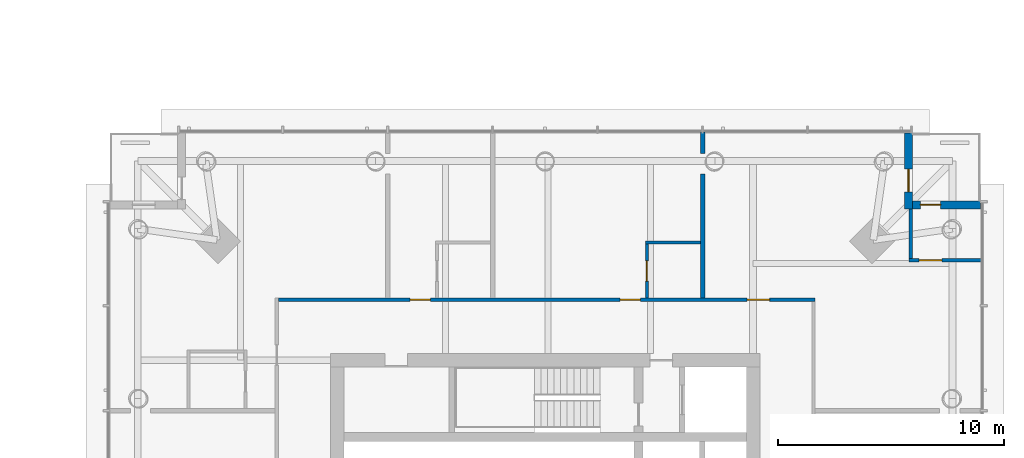
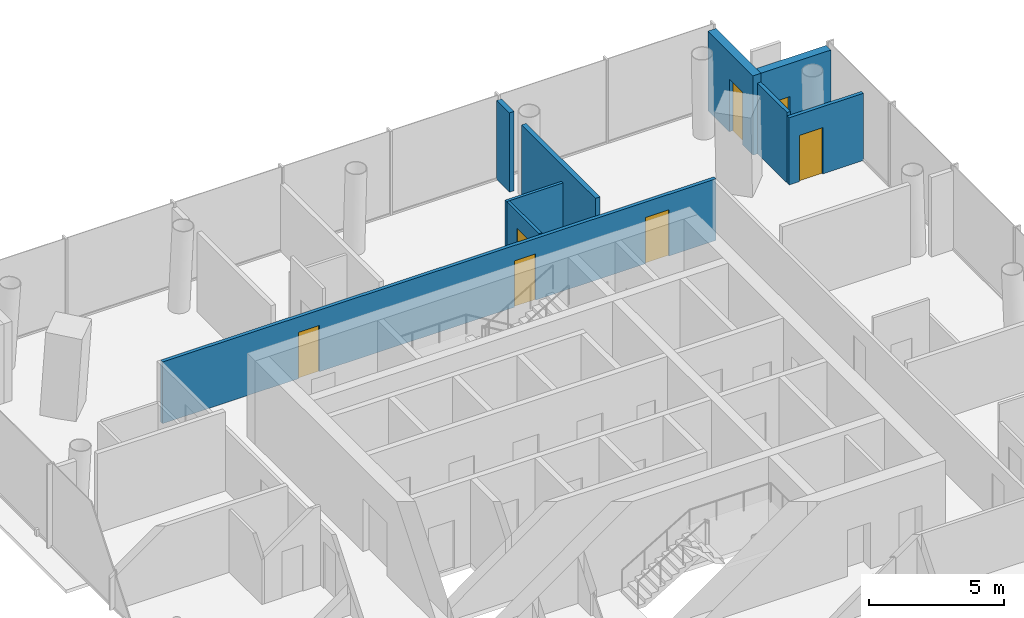
# One storey, part 15 of 21: 9 walls, 7 doors, 7 openings.
"""IFC4 building model written with IfcOpenShell, lengths in metres."""

from ifc_helpers import new_model, si_unit, direction, frame, frame_2d, origin, place, context, subcontext, project, spatial, rectangle, extrude, material, layer, layer_set, type_object, element, fill, save


model = new_model("IFC4")

# Units and contexts
model_context = context("Model", 3, precision=1e-05, world=origin(), true_north=direction((0.0, 1.0)))
body_context = subcontext(model_context, "Body", "Model", "MODEL_VIEW")
ifc_project = project(units=[si_unit("LENGTHUNIT", "METRE"), si_unit("AREAUNIT", "SQUARE_METRE"), si_unit("VOLUMEUNIT", "CUBIC_METRE"), si_unit("PLANEANGLEUNIT", "RADIAN"), si_unit("MASSUNIT", "GRAM", prefix="KILO")], contexts=[model_context])

# Site, building, storey
site_placement = place(None, origin())
site = spatial("IfcSite", under=ifc_project, at=site_placement, CompositionType="ELEMENT")
building_placement = place(site_placement, origin())
building = spatial("IfcBuilding", under=site, at=building_placement, Name="Ostroluk Exchange", CompositionType="ELEMENT")
storey_placement = place(building_placement, frame((0.0, 0.0, 43.800048828125)))
storey = spatial("IfcBuildingStorey", under=building, at=storey_placement, Name="L10", CompositionType="ELEMENT", Elevation=43.800048828125)

# Wall, opening, door
ifc_material_1 = material(Name="Limestone", Category="masonry")
ifc_layer_1 = layer(ifc_material_1, 0.35009765625)
ifc_layer_set_1 = layer_set([ifc_layer_1], Name="Limestone facade wall 350")
wall_type_1 = type_object("IfcWallType", Name="Limestone facade wall 350", PredefinedType="SOLIDWALL", material=ifc_layer_set_1)
wall_1_placement = place(storey_placement, frame((133.074951171875, 65.25, 0.0), z_axis=(0.0, 0.0, 1.0), x_axis=(0.0, -1.0, 0.0)))
wall_1 = element("IfcWall", 1, at=wall_1_placement, inside=storey, type_object=wall_type_1, Name="Hotel tower NE corner wall L10 a", PredefinedType="SOLIDWALL", context=body_context, shape_type="SweptSolid", body=[
    extrude(rectangle(XDim=3.35009765625, YDim=0.35009765625, at=frame_2d((1.675048828125, 0.0))), origin(), (0.0, 0.0, 1.0), 3.599853515625),
])
opening_1_placement = place(wall_1_placement, frame((1.60009765625, 0.0, 0.0)))
opening_1 = element("IfcOpeningElement", 2, at=opening_1_placement, cuts=wall_1, Name="Opening D-B1", PredefinedType="OPENING", context=body_context, shape_type="SweptSolid", body=[
    extrude(rectangle(XDim=1.0, YDim=2.39990234375, at=frame_2d((0.5, 1.199951171875))), frame((0.0, 0.18505859375, 0.0), z_axis=(0.0, -1.0, 0.0), x_axis=(1.0, 0.0, 0.0)), (0.0, 0.0, 1.0), 0.3701171875),
])
ifc_material_2 = material(Name="Bronze framed glazed door", Category="aluminium")
door_type_1 = type_object("IfcDoorType", Name="Balcony door 1000 x 2400", OperationType="SINGLE_SWING_LEFT", PredefinedType="DOOR", material=ifc_material_2)
door_1_placement = place(opening_1_placement, origin())
door_1 = element("IfcDoor", 3, at=door_1_placement, inside=storey, type_object=door_type_1, Name="Hotel tower NE balcony door L10", OperationType="SINGLE_SWING_RIGHT", OverallHeight=2.39990234375, OverallWidth=1.0, PredefinedType="DOOR", context=body_context, shape_type="SweptSolid", body=[
    extrude(rectangle(XDim=1.0, YDim=2.39990234375, at=frame_2d((0.5, 1.199951171875))), frame((0.0, 0.02490234375, 0.0), z_axis=(0.0, -1.0, 0.0), x_axis=(1.0, 0.0, 0.0)), (0.0, 0.0, 1.0), 0.050048828125),
])
fill(opening_1, door_1)

wall_2_placement = place(storey_placement, frame((133.25, 62.074951171875, 0.0), z_axis=(0.0, 0.0, 1.0), x_axis=(1.0, 0.0, 0.0)))
wall_2 = element("IfcWall", 4, at=wall_2_placement, inside=storey, type_object=wall_type_1, Name="Hotel tower NE corner wall L10 b", PredefinedType="SOLIDWALL", context=body_context, shape_type="SweptSolid", body=[
    extrude(rectangle(XDim=3.0, YDim=0.35009765625, at=frame_2d((1.5, 0.0))), origin(), (0.0, 0.0, 1.0), 3.599853515625),
])
opening_2_placement = place(wall_2_placement, frame((0.35009765625, 0.0, 0.0)))
opening_2 = element("IfcOpeningElement", 5, at=opening_2_placement, cuts=wall_2, Name="Opening D-M1", PredefinedType="OPENING", context=body_context, shape_type="SweptSolid", body=[
    extrude(rectangle(XDim=0.89990234375, YDim=2.10009765625, at=frame_2d((0.449951171875, 1.050048828125))), frame((0.0, 0.18505859375, 0.0), z_axis=(0.0, -1.0, 0.0), x_axis=(1.0, 0.0, 0.0)), (0.0, 0.0, 1.0), 0.3701171875),
])
ifc_material_3 = material(Name="Steel door", Category="steel")
door_type_2 = type_object("IfcDoorType", Name="Maintenance access door 900 x 2100", OperationType="SINGLE_SWING_LEFT", PredefinedType="DOOR", material=ifc_material_3)
door_2_placement = place(opening_2_placement, origin())
door_2 = element("IfcDoor", 6, at=door_2_placement, inside=storey, type_object=door_type_2, Name="Maintenance access door T2 L10 NE", OperationType="SINGLE_SWING_LEFT", OverallHeight=2.10009765625, OverallWidth=0.89990234375, PredefinedType="DOOR", context=body_context, shape_type="SweptSolid", body=[
    extrude(rectangle(XDim=0.89990234375, YDim=2.10009765625, at=frame_2d((0.449951171875, 1.050048828125))), frame((0.0, 0.02490234375, 0.0), z_axis=(0.0, -1.0, 0.0), x_axis=(1.0, 0.0, 0.0)), (0.0, 0.0, 1.0), 0.050048828125),
])
fill(opening_2, door_2)

# Wall
ifc_material_4 = material(Name="Gypsum plasterboard partition, moisture resistant", Category="gypsum")
ifc_layer_2 = layer(ifc_material_4, 0.1201171875)
ifc_layer_set_2 = layer_set([ifc_layer_2], Name="Plasterboard en-suite wall 120")
wall_type_2 = type_object("IfcWallType", Name="Plasterboard en-suite wall 120", PredefinedType="PARTITIONING", material=ifc_layer_set_2)
wall_3_placement = place(storey_placement, frame((123.8642578125, 60.409912109375, 0.0), z_axis=(0.0, 0.0, 1.0), x_axis=(-1.0, 0.0, 0.0)))
element("IfcWall", 7, at=wall_3_placement, inside=storey, type_object=wall_type_2, Name="En-suite wall", PredefinedType="PARTITIONING", context=body_context, shape_type="SweptSolid", body=[
    extrude(rectangle(XDim=2.419921875, YDim=0.1201171875, at=frame_2d((1.2099609375, 0.0))), origin(), (0.0, 0.0, 1.0), 2.846923828125),
])

# Wall, opening, door
wall_4_placement = place(storey_placement, frame((121.50439453125, 57.949951171875, 0.0), z_axis=(0.0, 0.0, 1.0), x_axis=(0.0, 1.0, 0.0)))
wall_4 = element("IfcWall", 8, at=wall_4_placement, inside=storey, type_object=wall_type_2, Name="En-suite wall", PredefinedType="PARTITIONING", context=body_context, shape_type="SweptSolid", body=[
    extrude(rectangle(XDim=2.400146484375, YDim=0.1201171875, at=frame_2d((1.2001953125, 0.0))), origin(), (0.0, 0.0, 1.0), 2.846923828125),
])
opening_3_placement = place(wall_4_placement, frame((0.75, 0.0, 0.0)))
opening_3 = element("IfcOpeningElement", 9, at=opening_3_placement, cuts=wall_4, Name="Opening D-02", PredefinedType="OPENING", context=body_context, shape_type="SweptSolid", body=[
    extrude(rectangle(XDim=0.89990234375, YDim=2.10009765625, at=frame_2d((0.449951171875, 1.050048828125))), frame((0.0, 0.070068359375, 0.0), z_axis=(0.0, -1.0, 0.0), x_axis=(1.0, 0.0, 0.0)), (0.0, 0.0, 1.0), 0.14013671875),
])
ifc_material_5 = material(Name="Timber", Category="wood")
door_type_3 = type_object("IfcDoorType", Name="En-suite door 900 x 2100", OperationType="SINGLE_SWING_LEFT", PredefinedType="DOOR", material=ifc_material_5)
door_3_placement = place(opening_3_placement, origin())
door_3 = element("IfcDoor", 10, at=door_3_placement, inside=storey, type_object=door_type_3, Name="En-suite door 1003", OperationType="SINGLE_SWING_RIGHT", OverallHeight=2.10009765625, OverallWidth=0.89990234375, PredefinedType="DOOR", context=body_context, shape_type="SweptSolid", body=[
    extrude(rectangle(XDim=0.89990234375, YDim=2.10009765625, at=frame_2d((0.449951171875, 1.050048828125))), frame((0.0, 0.02490234375, 0.0), z_axis=(0.0, -1.0, 0.0), x_axis=(1.0, 0.0, 0.0)), (0.0, 0.0, 1.0), 0.050048828125),
])
fill(opening_3, door_3)

# Wall, openings, doors
ifc_material_6 = material(Name="Gypsum plasterboard partition", Category="gypsum")
ifc_layer_3 = layer(ifc_material_6, 0.14990234375)
ifc_layer_set_3 = layer_set([ifc_layer_3], Name="Plasterboard partition 150")
wall_type_3 = type_object("IfcWallType", Name="Plasterboard partition 150", PredefinedType="PARTITIONING", material=ifc_layer_set_3)
wall_5_placement = place(storey_placement, frame((128.949951171875, 57.875, 0.0), z_axis=(0.0, 0.0, 1.0), x_axis=(-1.0, 0.0, 0.0)))
wall_5 = element("IfcWall", 11, at=wall_5_placement, inside=storey, type_object=wall_type_3, Name="Corridor wall", PredefinedType="PARTITIONING", context=body_context, shape_type="SweptSolid", body=[
    extrude(rectangle(XDim=23.75, YDim=0.14990234375, at=frame_2d((11.875, 0.0))), origin(), (0.0, 0.0, 1.0), 2.800048828125),
])
opening_4_placement = place(wall_5_placement, frame((2.017822265625, 0.0, 0.0)))
opening_4 = element("IfcOpeningElement", 12, at=opening_4_placement, cuts=wall_5, Name="Opening D-03", PredefinedType="OPENING", context=body_context, shape_type="SweptSolid", body=[
    extrude(rectangle(XDim=1.0, YDim=2.10009765625, at=frame_2d((0.5, 1.050048828125))), frame((0.0, 0.0849609375, 0.0), z_axis=(0.0, -1.0, 0.0), x_axis=(1.0, 0.0, 0.0)), (0.0, 0.0, 1.0), 0.169921875),
])
opening_5_placement = place(wall_5_placement, frame((7.735595703125, 0.0, 0.0)))
opening_5 = element("IfcOpeningElement", 13, at=opening_5_placement, cuts=wall_5, Name="Opening D-01", PredefinedType="OPENING", context=body_context, shape_type="SweptSolid", body=[
    extrude(rectangle(XDim=0.89990234375, YDim=2.10009765625, at=frame_2d((0.449951171875, 1.050048828125))), frame((0.0, 0.0849609375, 0.0), z_axis=(0.0, -1.0, 0.0), x_axis=(1.0, 0.0, 0.0)), (0.0, 0.0, 1.0), 0.169921875),
])
opening_6_placement = place(wall_5_placement, frame((17.021484375, 0.0, 0.0)))
opening_6 = element("IfcOpeningElement", 14, at=opening_6_placement, cuts=wall_5, Name="Opening D-01", PredefinedType="OPENING", context=body_context, shape_type="SweptSolid", body=[
    extrude(rectangle(XDim=0.89990234375, YDim=2.10009765625, at=frame_2d((0.449951171875, 1.050048828125))), frame((0.0, 0.0849609375, 0.0), z_axis=(0.0, -1.0, 0.0), x_axis=(1.0, 0.0, 0.0)), (0.0, 0.0, 1.0), 0.169921875),
])
ifc_material_7 = material(Name="Timber", Category="wood")
door_type_4 = type_object("IfcDoorType", Name="Hotel room door EI 30 Sa 900 x 2100", OperationType="SINGLE_SWING_LEFT", PredefinedType="DOOR", material=ifc_material_7)
door_4_placement = place(opening_5_placement, origin())
door_4 = element("IfcDoor", 15, at=door_4_placement, inside=storey, type_object=door_type_4, Name="Room door 1003", OperationType="SINGLE_SWING_LEFT", OverallHeight=2.10009765625, OverallWidth=0.89990234375, PredefinedType="DOOR", context=body_context, shape_type="SweptSolid", body=[
    extrude(rectangle(XDim=0.89990234375, YDim=2.10009765625, at=frame_2d((0.449951171875, 1.050048828125))), frame((0.0, 0.02490234375, 0.0), z_axis=(0.0, -1.0, 0.0), x_axis=(1.0, 0.0, 0.0)), (0.0, 0.0, 1.0), 0.050048828125),
])
fill(opening_5, door_4)
door_5_placement = place(opening_6_placement, origin())
door_5 = element("IfcDoor", 16, at=door_5_placement, inside=storey, type_object=door_type_4, Name="Room door 1004", OperationType="SINGLE_SWING_RIGHT", OverallHeight=2.10009765625, OverallWidth=0.89990234375, PredefinedType="DOOR", context=body_context, shape_type="SweptSolid", body=[
    extrude(rectangle(XDim=0.89990234375, YDim=2.10009765625, at=frame_2d((0.449951171875, 1.050048828125))), frame((0.0, 0.02490234375, 0.0), z_axis=(0.0, -1.0, 0.0), x_axis=(1.0, 0.0, 0.0)), (0.0, 0.0, 1.0), 0.050048828125),
])
fill(opening_6, door_5)
ifc_material_8 = material(Name="Timber", Category="wood")
door_type_5 = type_object("IfcDoorType", Name="Internal door 1000 x 2100", OperationType="SINGLE_SWING_LEFT", PredefinedType="DOOR", material=ifc_material_8)
door_6_placement = place(opening_4_placement, origin())
door_6 = element("IfcDoor", 17, at=door_6_placement, inside=storey, type_object=door_type_5, Name="Guest lounge door", OperationType="SINGLE_SWING_LEFT", OverallHeight=2.10009765625, OverallWidth=1.0, PredefinedType="DOOR", context=body_context, shape_type="SweptSolid", body=[
    extrude(rectangle(XDim=1.0, YDim=2.10009765625, at=frame_2d((0.5, 1.050048828125))), frame((0.0, 0.02490234375, 0.0), z_axis=(0.0, -1.0, 0.0), x_axis=(1.0, 0.0, 0.0)), (0.0, 0.0, 1.0), 0.050048828125),
])
fill(opening_4, door_6)

# Wall, opening, door
wall_6_placement = place(storey_placement, frame((133.10009765625, 59.625, 0.0), z_axis=(0.0, 0.0, 1.0), x_axis=(1.0, 0.0, 0.0)))
wall_6 = element("IfcWall", 18, at=wall_6_placement, inside=storey, type_object=wall_type_3, Name="Partition", PredefinedType="PARTITIONING", context=body_context, shape_type="SweptSolid", body=[
    extrude(rectangle(XDim=3.18994140625, YDim=0.14990234375, at=frame_2d((1.594970703125, 0.0))), origin(), (0.0, 0.0, 1.0), 3.050048828125),
])
opening_7_placement = place(wall_6_placement, frame((0.449951171875, 0.0, 0.0)))
opening_7 = element("IfcOpeningElement", 19, at=opening_7_placement, cuts=wall_6, Name="Opening D-03", PredefinedType="OPENING", context=body_context, shape_type="SweptSolid", body=[
    extrude(rectangle(XDim=1.0, YDim=2.10009765625, at=frame_2d((0.5, 1.050048828125))), frame((0.0, 0.0849609375, 0.0), z_axis=(0.0, -1.0, 0.0), x_axis=(1.0, 0.0, 0.0)), (0.0, 0.0, 1.0), 0.169921875),
])
door_7_placement = place(opening_7_placement, origin())
door_7 = element("IfcDoor", 20, at=door_7_placement, inside=storey, type_object=door_type_5, Name="Facade maintenance store door", OperationType="SINGLE_SWING_LEFT", OverallHeight=2.10009765625, OverallWidth=1.0, PredefinedType="DOOR", context=body_context, shape_type="SweptSolid", body=[
    extrude(rectangle(XDim=1.0, YDim=2.10009765625, at=frame_2d((0.5, 1.050048828125))), frame((0.0, 0.02490234375, 0.0), z_axis=(0.0, -1.0, 0.0), x_axis=(1.0, 0.0, 0.0)), (0.0, 0.0, 1.0), 0.050048828125),
])
fill(opening_7, door_7)

# Walls
wall_7_placement = place(storey_placement, frame((133.175048828125, 59.699951171875, 0.0), z_axis=(0.0, 0.0, 1.0), x_axis=(0.0, 1.0, 0.0)))
element("IfcWall", 21, at=wall_7_placement, inside=storey, type_object=wall_type_3, Name="Partition", PredefinedType="PARTITIONING", context=body_context, shape_type="SweptSolid", body=[
    extrude(rectangle(XDim=2.199951171875, YDim=0.14990234375, at=frame_2d((1.10009765625, 0.0))), origin(), (0.0, 0.0, 1.0), 3.199951171875),
])
ifc_material_9 = material(Name="Gypsum plasterboard partition", Category="gypsum")
ifc_layer_4 = layer(ifc_material_9, 0.199951171875)
ifc_layer_set_4 = layer_set([ifc_layer_4], Name="Plasterboard party wall 200")
wall_type_4 = type_object("IfcWallType", Name="Plasterboard party wall 200", PredefinedType="PARTITIONING", material=ifc_layer_set_4)
wall_8_placement = place(storey_placement, frame((123.96435546875, 57.949951171875, 0.0), z_axis=(0.0, 0.0, 1.0), x_axis=(0.0, 1.0, 0.0)))
element("IfcWall", 22, at=wall_8_placement, inside=storey, type_object=wall_type_4, Name="Party wall", PredefinedType="PARTITIONING", context=body_context, shape_type="SweptSolid", body=[
    extrude(rectangle(XDim=5.4970703125, YDim=0.199951171875, at=frame_2d((2.74853515625, 0.0))), origin(), (0.0, 0.0, 1.0), 3.599853515625),
])
wall_9_placement = place(storey_placement, frame((123.96435546875, 64.34814453125, 0.0), z_axis=(0.0, 0.0, 1.0), x_axis=(0.0, 1.0, 0.0)))
element("IfcWall", 23, at=wall_9_placement, inside=storey, type_object=wall_type_4, Name="Party wall", PredefinedType="PARTITIONING", context=body_context, shape_type="SweptSolid", body=[
    extrude(rectangle(XDim=0.94189453125, YDim=0.199951171875, at=frame_2d((0.470947265625, 0.0))), origin(), (0.0, 0.0, 1.0), 3.599853515625),
])

save(model, "model.ifc")
